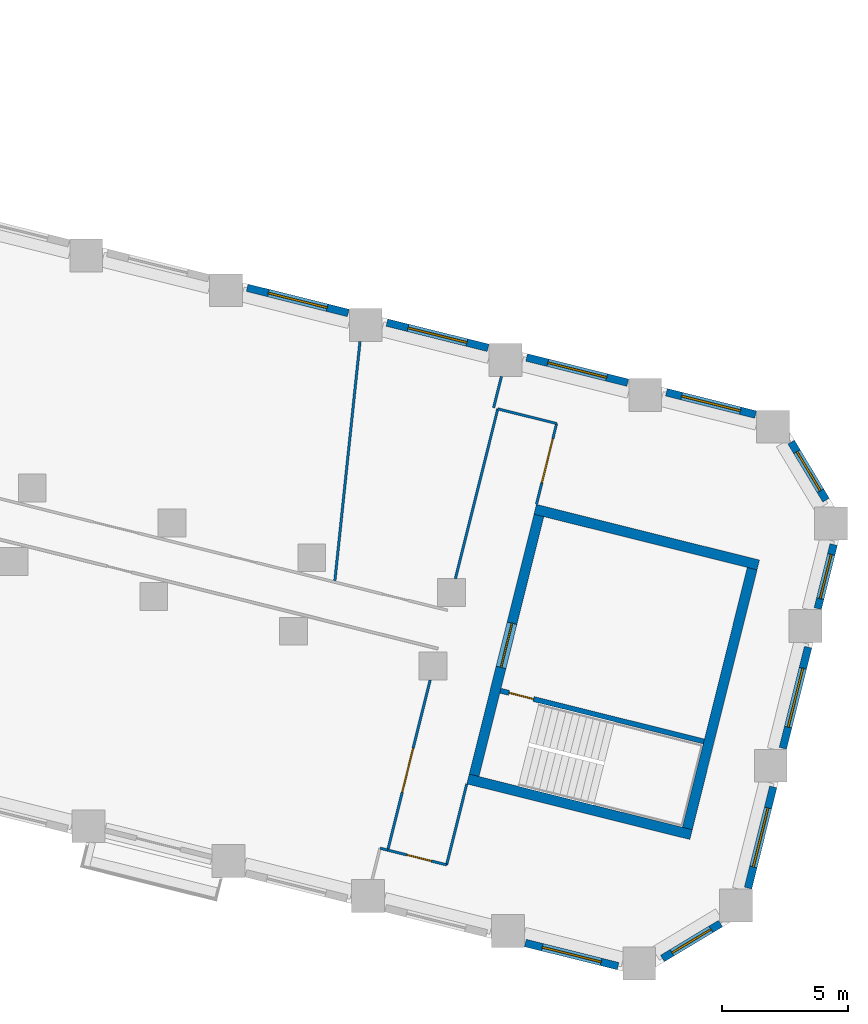
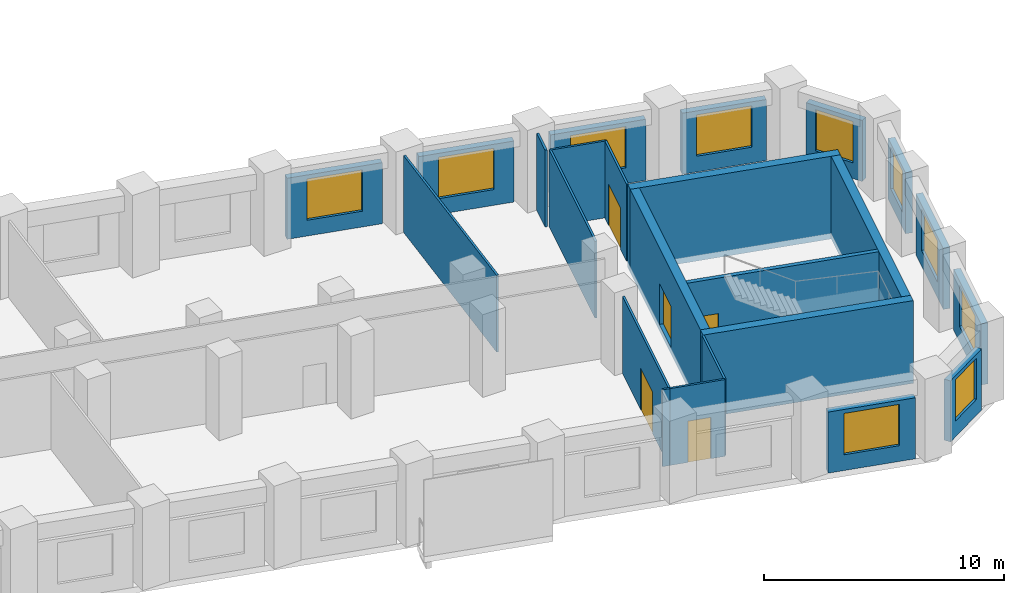
# One storey, part 7 of 11: 24 walls, 10 windows, 5 doors, 15 openings.
"""IFC4 building model written with IfcOpenShell, lengths in metres."""

from ifc_helpers import new_model, si_unit, direction, frame, frame_2d, origin, place, context, subcontext, project, spatial, rectangle, extrude, material, layer, layer_set, type_object, element, fill, save


model = new_model("IFC4")

# Units and contexts
model_context = context("Model", 3, precision=1e-05, world=origin(), true_north=direction((0.0, 1.0)))
body_context = subcontext(model_context, "Body", "Model", "MODEL_VIEW")
ifc_project = project(units=[si_unit("LENGTHUNIT", "METRE"), si_unit("AREAUNIT", "SQUARE_METRE"), si_unit("VOLUMEUNIT", "CUBIC_METRE"), si_unit("PLANEANGLEUNIT", "RADIAN"), si_unit("MASSUNIT", "GRAM", prefix="KILO")], contexts=[model_context])

# Site, building, storey
site_placement = place(None, origin())
site = spatial("IfcSite", under=ifc_project, at=site_placement, CompositionType="ELEMENT")
building_placement = place(site_placement, origin())
building = spatial("IfcBuilding", under=site, at=building_placement, Name="Meshkara Civic Tower", CompositionType="ELEMENT")
storey_placement = place(building_placement, frame((0.0, 0.0, 143.39990234375)))
storey = spatial("IfcBuildingStorey", under=building, at=storey_placement, Name="L32", CompositionType="ELEMENT", Elevation=143.39990234375)

# Wall, opening, door
ifc_material_1 = material(Name="Corridor wall 100")
ifc_layer_1 = layer(ifc_material_1, 0.10009765625)
ifc_layer_set_1 = layer_set([ifc_layer_1], Name="Corridor wall 100")
wall_type_1 = type_object("IfcWallType", Name="Corridor wall 100", PredefinedType="PARTITIONING", material=ifc_layer_set_1)
wall_1_placement = place(storey_placement, frame((67.405029296875, -14.33203125, 0.0), z_axis=(0.0, 0.0, 1.0), x_axis=(0.970256074659, -0.242080874063, 0.0)))
wall_1 = element("IfcWall", 1, at=wall_1_placement, inside=storey, type_object=wall_type_1, Name="L32-W025", PredefinedType="PARTITIONING", context=body_context, shape_type="SweptSolid", body=[
    extrude(rectangle(XDim=2.400146484375, YDim=0.10009765625, at=frame_2d((1.2001953125, 0.0))), origin(), (0.0, 0.0, 1.0), 3.900146484375),
])
opening_1_placement = place(wall_1_placement, frame((0.780029296875, 0.0, 0.0)))
opening_1 = element("IfcOpeningElement", 2, at=opening_1_placement, cuts=wall_1, Name="Opening L32-D001", PredefinedType="OPENING", context=body_context, shape_type="SweptSolid", body=[
    extrude(rectangle(XDim=1.0, YDim=2.10009765625, at=frame_2d((0.5, 1.050048828125))), frame((0.0, 0.06005859375, 0.0), z_axis=(0.0, -1.0, 0.0), x_axis=(1.0, 0.0, 0.0)), (0.0, 0.0, 1.0), 0.1201171875),
])
ifc_material_2 = material(Name="Door 1000 x 2100")
door_type_1 = type_object("IfcDoorType", Name="Door 1000 x 2100", OperationType="SINGLE_SWING_LEFT", PredefinedType="DOOR", material=ifc_material_2)
door_1_placement = place(opening_1_placement, origin())
door_1 = element("IfcDoor", 3, at=door_1_placement, inside=storey, type_object=door_type_1, Name="L32-D001", OperationType="SINGLE_SWING_LEFT", OverallHeight=2.10009765625, OverallWidth=1.0, PredefinedType="DOOR", context=body_context, shape_type="SweptSolid", body=[
    extrude(rectangle(XDim=1.0, YDim=2.10009765625, at=frame_2d((0.5, 1.050048828125))), frame((0.0, 0.02490234375, 0.0), z_axis=(0.0, -1.0, 0.0), x_axis=(1.0, 0.0, 0.0)), (0.0, 0.0, 1.0), 0.050048828125),
])
fill(opening_1, door_1)

wall_2_placement = place(storey_placement, frame((69.083984375, -7.60009765625, 0.0), z_axis=(0.0, 0.0, 1.0), x_axis=(-0.241989134778, -0.970278959191, 0.0)))
wall_2 = element("IfcWall", 4, at=wall_2_placement, inside=storey, type_object=wall_type_1, Name="L32-W026", PredefinedType="PARTITIONING", context=body_context, shape_type="SweptSolid", body=[
    extrude(rectangle(XDim=6.938232421875, YDim=0.10009765625, at=frame_2d((3.46923828125, 0.0))), origin(), (0.0, 0.0, 1.0), 3.900146484375),
])
opening_2_placement = place(wall_2_placement, frame((2.780029296875, 0.0, 0.0)))
opening_2 = element("IfcOpeningElement", 5, at=opening_2_placement, cuts=wall_2, Name="Opening L32-D002", PredefinedType="OPENING", context=body_context, shape_type="SweptSolid", body=[
    extrude(rectangle(XDim=1.800048828125, YDim=2.10009765625, at=frame_2d((0.89990234375, 1.050048828125))), frame((0.0, 0.06005859375, 0.0), z_axis=(0.0, -1.0, 0.0), x_axis=(1.0, 0.0, 0.0)), (0.0, 0.0, 1.0), 0.1201171875),
])
ifc_material_3 = material(Name="Door pair 1800 x 2100")
door_type_2 = type_object("IfcDoorType", Name="Door pair 1800 x 2100", OperationType="SINGLE_SWING_LEFT", PredefinedType="DOOR", material=ifc_material_3)
door_2_placement = place(opening_2_placement, origin())
door_2 = element("IfcDoor", 6, at=door_2_placement, inside=storey, type_object=door_type_2, Name="L32-D002", OperationType="DOUBLE_DOOR_SINGLE_SWING", OverallHeight=2.10009765625, OverallWidth=1.800048828125, PredefinedType="DOOR", context=body_context, shape_type="SweptSolid", body=[
    extrude(rectangle(XDim=1.800048828125, YDim=2.10009765625, at=frame_2d((0.89990234375, 1.050048828125))), frame((0.0, 0.02490234375, 0.0), z_axis=(0.0, -1.0, 0.0), x_axis=(1.0, 0.0, 0.0)), (0.0, 0.0, 1.0), 0.050048828125),
])
fill(opening_2, door_2)

# Walls
wall_3_placement = place(storey_placement, frame((69.73388671875, -14.9130859375, 0.0), z_axis=(0.0, 0.0, 1.0), x_axis=(0.241839284064, 0.97031631991, 0.0)))
element("IfcWall", 7, at=wall_3_placement, inside=storey, type_object=wall_type_1, Name="L32-W027", PredefinedType="PARTITIONING", context=body_context, shape_type="SweptSolid", body=[
    extrude(rectangle(XDim=3.300048828125, YDim=0.10009765625, at=frame_2d((1.64990234375, 0.0))), origin(), (0.0, 0.0, 1.0), 3.900146484375),
])
wall_4_placement = place(storey_placement, frame((71.759033203125, 3.133056640625, 0.0), z_axis=(0.0, 0.0, 1.0), x_axis=(-0.242021590717, -0.970270864051, 0.0)))
element("IfcWall", 8, at=wall_4_placement, inside=storey, type_object=wall_type_1, Name="L32-W028", PredefinedType="PARTITIONING", context=body_context, shape_type="SweptSolid", body=[
    extrude(rectangle(XDim=6.92919921875, YDim=0.10009765625, at=frame_2d((3.464599609375, 0.0))), origin(), (0.0, 0.0, 1.0), 3.900146484375),
])

# Wall, opening, door
wall_5_placement = place(storey_placement, frame((73.2900390625, -0.64990234375, 0.0), z_axis=(0.0, 0.0, 1.0), x_axis=(0.241786986316, 0.970329352977, 0.0)))
wall_5 = element("IfcWall", 9, at=wall_5_placement, inside=storey, type_object=wall_type_1, Name="L32-W029", PredefinedType="PARTITIONING", context=body_context, shape_type="SweptSolid", body=[
    extrude(rectangle(XDim=3.2998046875, YDim=0.10009765625, at=frame_2d((1.64990234375, 0.0))), origin(), (0.0, 0.0, 1.0), 3.900146484375),
])
opening_3_placement = place(wall_5_placement, frame((0.8798828125, 0.0, 0.0)))
opening_3 = element("IfcOpeningElement", 10, at=opening_3_placement, cuts=wall_5, Name="Opening L32-D010", PredefinedType="OPENING", context=body_context, shape_type="SweptSolid", body=[
    extrude(rectangle(XDim=1.800048828125, YDim=2.10009765625, at=frame_2d((0.89990234375, 1.050048828125))), frame((0.0, 0.06005859375, 0.0), z_axis=(0.0, -1.0, 0.0), x_axis=(1.0, 0.0, 0.0)), (0.0, 0.0, 1.0), 0.1201171875),
])
door_3_placement = place(opening_3_placement, origin())
door_3 = element("IfcDoor", 11, at=door_3_placement, inside=storey, type_object=door_type_2, Name="L32-D010", OperationType="DOUBLE_DOOR_SINGLE_SWING", OverallHeight=2.10009765625, OverallWidth=1.800048828125, PredefinedType="DOOR", context=body_context, shape_type="SweptSolid", body=[
    extrude(rectangle(XDim=1.800048828125, YDim=2.10009765625, at=frame_2d((0.89990234375, 1.050048828125))), frame((0.0, 0.02490234375, 0.0), z_axis=(0.0, -1.0, 0.0), x_axis=(1.0, 0.0, 0.0)), (0.0, 0.0, 1.0), 0.050048828125),
])
fill(opening_3, door_3)

# Wall
wall_6_placement = place(storey_placement, frame((74.087890625, 2.552001953125, 0.0), z_axis=(0.0, 0.0, 1.0), x_axis=(-0.970256074659, 0.242080874063, 0.0)))
element("IfcWall", 12, at=wall_6_placement, inside=storey, type_object=wall_type_1, Name="L32-W030", PredefinedType="PARTITIONING", context=body_context, shape_type="SweptSolid", body=[
    extrude(rectangle(XDim=2.400146484375, YDim=0.10009765625, at=frame_2d((1.2001953125, 0.0))), origin(), (0.0, 0.0, 1.0), 3.900146484375),
])

# Wall, opening, window
ifc_material_4 = material(Name="Insulated infill panel with bronze anodised aluminium cladding", Category="aluminium")
ifc_layer_2 = layer(ifc_material_4, 0.300048828125)
ifc_layer_set_2 = layer_set([ifc_layer_2], Name="EXTERNAL INFILL WALL 300")
wall_type_2 = type_object("IfcWallType", Name="EXTERNAL INFILL WALL 300", PredefinedType="SOLIDWALL", material=ifc_layer_set_2)
wall_7_placement = place(storey_placement, frame((81.962890625, 2.906982421875, 0.0), z_axis=(0.0, 0.0, 1.0), x_axis=(-0.970248953144, 0.24210941519, 0.0)))
wall_7 = element("IfcWall", 13, at=wall_7_placement, inside=storey, type_object=wall_type_2, Name="External wall", PredefinedType="SOLIDWALL", context=body_context, shape_type="SweptSolid", body=[
    extrude(rectangle(XDim=3.63916015625, YDim=0.300048828125, at=frame_2d((1.819580078125, 0.0))), origin(), (0.0, 0.0, 1.0), 3.10009765625),
])
opening_4_placement = place(wall_7_placement, frame((0.6201171875, 0.0, 0.800048828125)))
opening_4 = element("IfcOpeningElement", 14, at=opening_4_placement, cuts=wall_7, Name="Opening W7", PredefinedType="OPENING", context=body_context, shape_type="SweptSolid", body=[
    extrude(rectangle(XDim=2.39990234375, YDim=2.10009765625, at=frame_2d((1.199951171875, 1.050048828125))), frame((0.0, 0.159912109375, 0.0), z_axis=(0.0, -1.0, 0.0), x_axis=(1.0, 0.0, 0.0)), (0.0, 0.0, 1.0), 0.320068359375),
])
ifc_material_5 = material(Name="Tinted double glazing", Category="glass")
window_type_1 = type_object("IfcWindowType", Name="WINDOW 2400x2100", PartitioningType="DOUBLE_PANEL_VERTICAL", PredefinedType="WINDOW", material=ifc_material_5)
window_1_placement = place(opening_4_placement, origin())
window_1 = element("IfcWindow", 15, at=window_1_placement, inside=storey, type_object=window_type_1, Name="Window", OverallHeight=2.10009765625, OverallWidth=2.39990234375, PartitioningType="DOUBLE_PANEL_VERTICAL", PredefinedType="WINDOW", context=body_context, shape_type="SweptSolid", body=[
    extrude(rectangle(XDim=2.39990234375, YDim=2.10009765625, at=frame_2d((1.199951171875, 1.050048828125))), frame((0.0, 0.030029296875, 0.0), z_axis=(0.0, -1.0, 0.0), x_axis=(1.0, 0.0, 0.0)), (0.0, 0.0, 1.0), 0.06005859375),
])
fill(opening_4, window_1)

wall_8_placement = place(storey_placement, frame((76.903076171875, 4.1689453125, 0.0), z_axis=(0.0, 0.0, 1.0), x_axis=(-0.970267747908, 0.242034083076, 0.0)))
wall_8 = element("IfcWall", 16, at=wall_8_placement, inside=storey, type_object=wall_type_2, Name="External wall", PredefinedType="SOLIDWALL", context=body_context, shape_type="SweptSolid", body=[
    extrude(rectangle(XDim=4.12353515625, YDim=0.300048828125, at=frame_2d((2.061767578125, 0.0))), origin(), (0.0, 0.0, 1.0), 3.10009765625),
])
opening_5_placement = place(wall_8_placement, frame((0.862060546875, 0.0, 0.800048828125)))
opening_5 = element("IfcOpeningElement", 17, at=opening_5_placement, cuts=wall_8, Name="Opening W7", PredefinedType="OPENING", context=body_context, shape_type="SweptSolid", body=[
    extrude(rectangle(XDim=2.39990234375, YDim=2.10009765625, at=frame_2d((1.199951171875, 1.050048828125))), frame((0.0, 0.159912109375, 0.0), z_axis=(0.0, -1.0, 0.0), x_axis=(1.0, 0.0, 0.0)), (0.0, 0.0, 1.0), 0.320068359375),
])
window_2_placement = place(opening_5_placement, origin())
window_2 = element("IfcWindow", 18, at=window_2_placement, inside=storey, type_object=window_type_1, Name="Window", OverallHeight=2.10009765625, OverallWidth=2.39990234375, PartitioningType="DOUBLE_PANEL_VERTICAL", PredefinedType="WINDOW", context=body_context, shape_type="SweptSolid", body=[
    extrude(rectangle(XDim=2.39990234375, YDim=2.10009765625, at=frame_2d((1.199951171875, 1.050048828125))), frame((0.0, 0.030029296875, 0.0), z_axis=(0.0, -1.0, 0.0), x_axis=(1.0, 0.0, 0.0)), (0.0, 0.0, 1.0), 0.06005859375),
])
fill(opening_5, window_2)

wall_9_placement = place(storey_placement, frame((71.373046875, 5.548095703125, 0.0), z_axis=(0.0, 0.0, 1.0), x_axis=(-0.97029551261, 0.241922752565, 0.0)))
wall_9 = element("IfcWall", 19, at=wall_9_placement, inside=storey, type_object=wall_type_2, Name="External wall", PredefinedType="SOLIDWALL", context=body_context, shape_type="SweptSolid", body=[
    extrude(rectangle(XDim=4.12451171875, YDim=0.300048828125, at=frame_2d((2.062255859375, 0.0))), origin(), (0.0, 0.0, 1.0), 3.10009765625),
])
opening_6_placement = place(wall_9_placement, frame((0.862060546875, 0.0, 0.800048828125)))
opening_6 = element("IfcOpeningElement", 20, at=opening_6_placement, cuts=wall_9, Name="Opening W7", PredefinedType="OPENING", context=body_context, shape_type="SweptSolid", body=[
    extrude(rectangle(XDim=2.39990234375, YDim=2.10009765625, at=frame_2d((1.199951171875, 1.050048828125))), frame((0.0, 0.159912109375, 0.0), z_axis=(0.0, -1.0, 0.0), x_axis=(1.0, 0.0, 0.0)), (0.0, 0.0, 1.0), 0.320068359375),
])
window_3_placement = place(opening_6_placement, origin())
window_3 = element("IfcWindow", 21, at=window_3_placement, inside=storey, type_object=window_type_1, Name="Window", OverallHeight=2.10009765625, OverallWidth=2.39990234375, PartitioningType="DOUBLE_PANEL_VERTICAL", PredefinedType="WINDOW", context=body_context, shape_type="SweptSolid", body=[
    extrude(rectangle(XDim=2.39990234375, YDim=2.10009765625, at=frame_2d((1.199951171875, 1.050048828125))), frame((0.0, 0.030029296875, 0.0), z_axis=(0.0, -1.0, 0.0), x_axis=(1.0, 0.0, 0.0)), (0.0, 0.0, 1.0), 0.06005859375),
])
fill(opening_6, window_3)

wall_10_placement = place(storey_placement, frame((65.842041015625, 6.927001953125, 0.0), z_axis=(0.0, 0.0, 1.0), x_axis=(-0.970281616392, 0.241978480223, 0.0)))
wall_10 = element("IfcWall", 22, at=wall_10_placement, inside=storey, type_object=wall_type_2, Name="External wall", PredefinedType="SOLIDWALL", context=body_context, shape_type="SweptSolid", body=[
    extrude(rectangle(XDim=4.12451171875, YDim=0.300048828125, at=frame_2d((2.062255859375, 0.0))), origin(), (0.0, 0.0, 1.0), 3.10009765625),
])
opening_7_placement = place(wall_10_placement, frame((0.862060546875, 0.0, 0.800048828125)))
opening_7 = element("IfcOpeningElement", 23, at=opening_7_placement, cuts=wall_10, Name="Opening W7", PredefinedType="OPENING", context=body_context, shape_type="SweptSolid", body=[
    extrude(rectangle(XDim=2.39990234375, YDim=2.10009765625, at=frame_2d((1.199951171875, 1.050048828125))), frame((0.0, 0.159912109375, 0.0), z_axis=(0.0, -1.0, 0.0), x_axis=(1.0, 0.0, 0.0)), (0.0, 0.0, 1.0), 0.320068359375),
])
window_4_placement = place(opening_7_placement, origin())
window_4 = element("IfcWindow", 24, at=window_4_placement, inside=storey, type_object=window_type_1, Name="Window", OverallHeight=2.10009765625, OverallWidth=2.39990234375, PartitioningType="DOUBLE_PANEL_VERTICAL", PredefinedType="WINDOW", context=body_context, shape_type="SweptSolid", body=[
    extrude(rectangle(XDim=2.39990234375, YDim=2.10009765625, at=frame_2d((1.199951171875, 1.050048828125))), frame((0.0, 0.030029296875, 0.0), z_axis=(0.0, -1.0, 0.0), x_axis=(1.0, 0.0, 0.0)), (0.0, 0.0, 1.0), 0.06005859375),
])
fill(opening_7, window_4)

wall_11_placement = place(storey_placement, frame((72.85009765625, -18.009033203125, 0.0), z_axis=(0.0, 0.0, 1.0), x_axis=(0.970309295155, -0.241867467295, 0.0)))
wall_11 = element("IfcWall", 25, at=wall_11_placement, inside=storey, type_object=wall_type_2, Name="External wall", PredefinedType="SOLIDWALL", context=body_context, shape_type="SweptSolid", body=[
    extrude(rectangle(XDim=3.783203125, YDim=0.300048828125, at=frame_2d((1.8916015625, 0.0))), origin(), (0.0, 0.0, 1.0), 3.10009765625),
])
opening_8_placement = place(wall_11_placement, frame((0.69189453125, 0.0, 0.800048828125)))
opening_8 = element("IfcOpeningElement", 26, at=opening_8_placement, cuts=wall_11, Name="Opening W7", PredefinedType="OPENING", context=body_context, shape_type="SweptSolid", body=[
    extrude(rectangle(XDim=2.39990234375, YDim=2.10009765625, at=frame_2d((1.199951171875, 1.050048828125))), frame((0.0, 0.159912109375, 0.0), z_axis=(0.0, -1.0, 0.0), x_axis=(1.0, 0.0, 0.0)), (0.0, 0.0, 1.0), 0.320068359375),
])
window_5_placement = place(opening_8_placement, origin())
window_5 = element("IfcWindow", 27, at=window_5_placement, inside=storey, type_object=window_type_1, Name="Window", OverallHeight=2.10009765625, OverallWidth=2.39990234375, PartitioningType="DOUBLE_PANEL_VERTICAL", PredefinedType="WINDOW", context=body_context, shape_type="SweptSolid", body=[
    extrude(rectangle(XDim=2.39990234375, YDim=2.10009765625, at=frame_2d((1.199951171875, 1.050048828125))), frame((0.0, 0.030029296875, 0.0), z_axis=(0.0, -1.0, 0.0), x_axis=(1.0, 0.0, 0.0)), (0.0, 0.0, 1.0), 0.06005859375),
])
fill(opening_8, window_5)

wall_12_placement = place(storey_placement, frame((78.277099609375, -18.62109375, 0.0), z_axis=(0.0, 0.0, 1.0), x_axis=(0.857066424989, 0.515205923061, 0.0)))
wall_12 = element("IfcWall", 28, at=wall_12_placement, inside=storey, type_object=wall_type_2, Name="External wall", PredefinedType="SOLIDWALL", context=body_context, shape_type="SweptSolid", body=[
    extrude(rectangle(XDim=2.6787109375, YDim=0.300048828125, at=frame_2d((1.33935546875, 0.0))), origin(), (0.0, 0.0, 1.0), 3.10009765625),
])
opening_9_placement = place(wall_12_placement, frame((0.43896484375, 0.0, 0.800048828125)))
opening_9 = element("IfcOpeningElement", 29, at=opening_9_placement, cuts=wall_12, Name="Opening W9", PredefinedType="OPENING", context=body_context, shape_type="SweptSolid", body=[
    extrude(rectangle(XDim=1.800048828125, YDim=2.10009765625, at=frame_2d((0.89990234375, 1.050048828125))), frame((0.0, 0.159912109375, 0.0), z_axis=(0.0, -1.0, 0.0), x_axis=(1.0, 0.0, 0.0)), (0.0, 0.0, 1.0), 0.320068359375),
])
ifc_material_6 = material(Name="Tinted double glazing", Category="glass")
window_type_2 = type_object("IfcWindowType", Name="WINDOW 1800x2100", PartitioningType="DOUBLE_PANEL_VERTICAL", PredefinedType="WINDOW", material=ifc_material_6)
window_6_placement = place(opening_9_placement, origin())
window_6 = element("IfcWindow", 30, at=window_6_placement, inside=storey, type_object=window_type_2, Name="Window", OverallHeight=2.10009765625, OverallWidth=1.800048828125, PartitioningType="DOUBLE_PANEL_VERTICAL", PredefinedType="WINDOW", context=body_context, shape_type="SweptSolid", body=[
    extrude(rectangle(XDim=1.800048828125, YDim=2.10009765625, at=frame_2d((0.89990234375, 1.050048828125))), frame((0.0, 0.030029296875, 0.0), z_axis=(0.0, -1.0, 0.0), x_axis=(1.0, 0.0, 0.0)), (0.0, 0.0, 1.0), 0.06005859375),
])
fill(opening_9, window_6)

wall_13_placement = place(storey_placement, frame((81.6650390625, -15.83203125, 0.0), z_axis=(0.0, 0.0, 1.0), x_axis=(0.241978480223, 0.970281616392, 0.0)))
wall_13 = element("IfcWall", 31, at=wall_13_placement, inside=storey, type_object=wall_type_2, Name="External wall", PredefinedType="SOLIDWALL", context=body_context, shape_type="SweptSolid", body=[
    extrude(rectangle(XDim=4.12451171875, YDim=0.300048828125, at=frame_2d((2.062255859375, 0.0))), origin(), (0.0, 0.0, 1.0), 3.10009765625),
])
opening_10_placement = place(wall_13_placement, frame((0.862060546875, 0.0, 0.800048828125)))
opening_10 = element("IfcOpeningElement", 32, at=opening_10_placement, cuts=wall_13, Name="Opening W7", PredefinedType="OPENING", context=body_context, shape_type="SweptSolid", body=[
    extrude(rectangle(XDim=2.39990234375, YDim=2.10009765625, at=frame_2d((1.199951171875, 1.050048828125))), frame((0.0, 0.159912109375, 0.0), z_axis=(0.0, -1.0, 0.0), x_axis=(1.0, 0.0, 0.0)), (0.0, 0.0, 1.0), 0.320068359375),
])
window_7_placement = place(opening_10_placement, origin())
window_7 = element("IfcWindow", 33, at=window_7_placement, inside=storey, type_object=window_type_1, Name="Window", OverallHeight=2.10009765625, OverallWidth=2.39990234375, PartitioningType="DOUBLE_PANEL_VERTICAL", PredefinedType="WINDOW", context=body_context, shape_type="SweptSolid", body=[
    extrude(rectangle(XDim=2.39990234375, YDim=2.10009765625, at=frame_2d((1.199951171875, 1.050048828125))), frame((0.0, 0.030029296875, 0.0), z_axis=(0.0, -1.0, 0.0), x_axis=(1.0, 0.0, 0.0)), (0.0, 0.0, 1.0), 0.06005859375),
])
fill(opening_10, window_7)

wall_14_placement = place(storey_placement, frame((83.0439453125, -10.301025390625, 0.0), z_axis=(0.0, 0.0, 1.0), x_axis=(0.242034083076, 0.970267747908, 0.0)))
wall_14 = element("IfcWall", 34, at=wall_14_placement, inside=storey, type_object=wall_type_2, Name="External wall", PredefinedType="SOLIDWALL", context=body_context, shape_type="SweptSolid", body=[
    extrude(rectangle(XDim=4.12353515625, YDim=0.300048828125, at=frame_2d((2.061767578125, 0.0))), origin(), (0.0, 0.0, 1.0), 3.10009765625),
])
opening_11_placement = place(wall_14_placement, frame((0.862060546875, 0.0, 0.800048828125)))
opening_11 = element("IfcOpeningElement", 35, at=opening_11_placement, cuts=wall_14, Name="Opening W7", PredefinedType="OPENING", context=body_context, shape_type="SweptSolid", body=[
    extrude(rectangle(XDim=2.39990234375, YDim=2.10009765625, at=frame_2d((1.199951171875, 1.050048828125))), frame((0.0, 0.159912109375, 0.0), z_axis=(0.0, -1.0, 0.0), x_axis=(1.0, 0.0, 0.0)), (0.0, 0.0, 1.0), 0.320068359375),
])
window_8_placement = place(opening_11_placement, origin())
window_8 = element("IfcWindow", 36, at=window_8_placement, inside=storey, type_object=window_type_1, Name="Window", OverallHeight=2.10009765625, OverallWidth=2.39990234375, PartitioningType="DOUBLE_PANEL_VERTICAL", PredefinedType="WINDOW", context=body_context, shape_type="SweptSolid", body=[
    extrude(rectangle(XDim=2.39990234375, YDim=2.10009765625, at=frame_2d((1.199951171875, 1.050048828125))), frame((0.0, 0.030029296875, 0.0), z_axis=(0.0, -1.0, 0.0), x_axis=(1.0, 0.0, 0.0)), (0.0, 0.0, 1.0), 0.06005859375),
])
fill(opening_11, window_8)

wall_15_placement = place(storey_placement, frame((84.423095703125, -4.77099609375, 0.0), z_axis=(0.0, 0.0, 1.0), x_axis=(0.241941668773, 0.970290796056, 0.0)))
wall_15 = element("IfcWall", 37, at=wall_15_placement, inside=storey, type_object=wall_type_2, Name="External wall", PredefinedType="SOLIDWALL", context=body_context, shape_type="SweptSolid", body=[
    extrude(rectangle(XDim=2.611572265625, YDim=0.300048828125, at=frame_2d((1.3056640625, 0.0))), origin(), (0.0, 0.0, 1.0), 3.10009765625),
])
opening_12_placement = place(wall_15_placement, frame((0.406005859375, 0.0, 0.800048828125)))
opening_12 = element("IfcOpeningElement", 38, at=opening_12_placement, cuts=wall_15, Name="Opening W9", PredefinedType="OPENING", context=body_context, shape_type="SweptSolid", body=[
    extrude(rectangle(XDim=1.800048828125, YDim=2.10009765625, at=frame_2d((0.89990234375, 1.050048828125))), frame((0.0, 0.159912109375, 0.0), z_axis=(0.0, -1.0, 0.0), x_axis=(1.0, 0.0, 0.0)), (0.0, 0.0, 1.0), 0.320068359375),
])
window_9_placement = place(opening_12_placement, origin())
window_9 = element("IfcWindow", 39, at=window_9_placement, inside=storey, type_object=window_type_2, Name="Window", OverallHeight=2.10009765625, OverallWidth=1.800048828125, PartitioningType="DOUBLE_PANEL_VERTICAL", PredefinedType="WINDOW", context=body_context, shape_type="SweptSolid", body=[
    extrude(rectangle(XDim=1.800048828125, YDim=2.10009765625, at=frame_2d((0.89990234375, 1.050048828125))), frame((0.0, 0.030029296875, 0.0), z_axis=(0.0, -1.0, 0.0), x_axis=(1.0, 0.0, 0.0)), (0.0, 0.0, 1.0), 0.06005859375),
])
fill(opening_12, window_9)

wall_16_placement = place(storey_placement, frame((84.751953125, -0.48095703125, 0.0), z_axis=(0.0, 0.0, 1.0), x_axis=(-0.515138971391, 0.857106667898, 0.0)))
wall_16 = element("IfcWall", 40, at=wall_16_placement, inside=storey, type_object=wall_type_2, Name="External wall", PredefinedType="SOLIDWALL", context=body_context, shape_type="SweptSolid", body=[
    extrude(rectangle(XDim=2.6787109375, YDim=0.300048828125, at=frame_2d((1.33935546875, 0.0))), origin(), (0.0, 0.0, 1.0), 3.10009765625),
])
opening_13_placement = place(wall_16_placement, frame((0.43896484375, 0.0, 0.800048828125)))
opening_13 = element("IfcOpeningElement", 41, at=opening_13_placement, cuts=wall_16, Name="Opening W9", PredefinedType="OPENING", context=body_context, shape_type="SweptSolid", body=[
    extrude(rectangle(XDim=1.800048828125, YDim=2.10009765625, at=frame_2d((0.89990234375, 1.050048828125))), frame((0.0, 0.159912109375, 0.0), z_axis=(0.0, -1.0, 0.0), x_axis=(1.0, 0.0, 0.0)), (0.0, 0.0, 1.0), 0.320068359375),
])
window_10_placement = place(opening_13_placement, origin())
window_10 = element("IfcWindow", 42, at=window_10_placement, inside=storey, type_object=window_type_2, Name="Window", OverallHeight=2.10009765625, OverallWidth=1.800048828125, PartitioningType="DOUBLE_PANEL_VERTICAL", PredefinedType="WINDOW", context=body_context, shape_type="SweptSolid", body=[
    extrude(rectangle(XDim=1.800048828125, YDim=2.10009765625, at=frame_2d((0.89990234375, 1.050048828125))), frame((0.0, 0.030029296875, 0.0), z_axis=(0.0, -1.0, 0.0), x_axis=(1.0, 0.0, 0.0)), (0.0, 0.0, 1.0), 0.06005859375),
])
fill(opening_13, window_10)

# Walls
ifc_material_7 = material(Name="Concrete C70", Category="concrete")
ifc_layer_3 = layer(ifc_material_7, 0.39990234375)
ifc_layer_set_3 = layer_set([ifc_layer_3], Name="End core ring wall 400 C70")
wall_type_3 = type_object("IfcWallType", Name="End core ring wall 400 C70", PredefinedType="SHEAR", material=ifc_layer_set_3)
for number, where, z_axis, x_axis, name in (
    (43, (70.580078125, -11.51708984375, -0.2998046875), (0.0, 0.0, 1.0), (0.970285938441, -0.241961149081, 0.0), "L32-C030"),
    (44, (73.240966796875, -0.843994140625, -0.2998046875), (0.0, 0.0, 1.0), (0.970312696888, -0.241853820019, 0.0), "L32-C031"),
):
    element("IfcWall", number, at=place(storey_placement, frame(where, z_axis=z_axis, x_axis=x_axis)), inside=storey, type_object=wall_type_3, Name=name, PredefinedType="SHEAR", context=body_context, shape_type="SweptSolid", body=[
        extrude(rectangle(XDim=9.100341796875, YDim=0.39990234375, at=frame_2d((4.55029296875, 0.0))), origin(), (0.0, 0.0, 1.0), 4.199951171875),
    ])

# Wall, opening, door
wall_17_placement = place(storey_placement, frame((70.822998046875, -11.37109375, -0.2998046875), z_axis=(0.0, 0.0, 1.0), x_axis=(0.241885246693, 0.97030486314, 0.0)))
wall_17 = element("IfcWall", 45, at=wall_17_placement, inside=storey, type_object=wall_type_3, Name="L32-C032", PredefinedType="SHEAR", context=body_context, shape_type="SweptSolid", body=[
    extrude(rectangle(XDim=10.599853515625, YDim=0.39990234375, at=frame_2d((5.2998046875, 0.0))), origin(), (0.0, 0.0, 1.0), 4.199951171875),
])
opening_14_placement = place(wall_17_placement, frame((4.39990234375, 0.0, 0.300048828125)))
opening_14 = element("IfcOpeningElement", 46, at=opening_14_placement, cuts=wall_17, Name="Opening L32-K202", PredefinedType="OPENING", context=body_context, shape_type="SweptSolid", body=[
    extrude(rectangle(XDim=1.800048828125, YDim=2.10009765625, at=frame_2d((0.89990234375, 1.050048828125))), frame((0.0, 0.2099609375, 0.0), z_axis=(0.0, -1.0, 0.0), x_axis=(1.0, 0.0, 0.0)), (0.0, 0.0, 1.0), 0.419921875),
])
ifc_material_8 = material(Name="Fire-rated door leaf in steel frame", Category="steel")
door_type_3 = type_object("IfcDoorType", Name="Core double door 1800 EI 60", OperationType="DOUBLE_DOOR_SINGLE_SWING", PredefinedType="DOOR", material=ifc_material_8)
door_4_placement = place(opening_14_placement, origin())
door_4 = element("IfcDoor", 47, at=door_4_placement, inside=storey, type_object=door_type_3, Name="L32-K202", OperationType="DOUBLE_DOOR_SINGLE_SWING", OverallHeight=2.10009765625, OverallWidth=1.800048828125, PredefinedType="DOOR", context=body_context, shape_type="SweptSolid", body=[
    extrude(rectangle(XDim=1.800048828125, YDim=2.10009765625, at=frame_2d((0.89990234375, 1.050048828125))), frame((0.0, 0.02490234375, 0.0), z_axis=(0.0, -1.0, 0.0), x_axis=(1.0, 0.0, 0.0)), (0.0, 0.0, 1.0), 0.050048828125),
])
fill(opening_14, door_4)

# Walls
wall_18_placement = place(storey_placement, frame((79.263916015625, -13.47607421875, -0.2998046875), z_axis=(0.0, 0.0, 1.0), x_axis=(0.241993665753, 0.970277829148, 0.0)))
element("IfcWall", 48, at=wall_18_placement, inside=storey, type_object=wall_type_3, Name="L32-C033", PredefinedType="SHEAR", context=body_context, shape_type="SweptSolid", body=[
    extrude(rectangle(XDim=10.60009765625, YDim=0.39990234375, at=frame_2d((5.300048828125, 0.0))), origin(), (0.0, 0.0, 1.0), 4.199951171875),
])
ifc_material_9 = material(Name="Partition 100")
ifc_layer_4 = layer(ifc_material_9, 0.10009765625)
ifc_layer_set_4 = layer_set([ifc_layer_4], Name="Partition 100")
wall_type_4 = type_object("IfcWallType", Name="Partition 100", PredefinedType="PARTITIONING", material=ifc_layer_set_4)
wall_19_placement = place(storey_placement, frame((65.31103515625, -3.6689453125, 0.0), z_axis=(0.0, 0.0, 1.0), x_axis=(0.104547226463, 0.994519923098, 0.0)))
element("IfcWall", 49, at=wall_19_placement, inside=storey, type_object=wall_type_4, Name="L32-W049", PredefinedType="PARTITIONING", context=body_context, shape_type="SweptSolid", body=[
    extrude(rectangle(XDim=9.51611328125, YDim=0.10009765625, at=frame_2d((4.758056640625, 0.0))), origin(), (0.0, 0.0, 1.0), 3.900146484375),
])
wall_20_placement = place(storey_placement, frame((67.09912109375, -14.256103515625, 0.0), z_axis=(0.0, 0.0, 1.0), x_axis=(0.970546048538, -0.240915685807, 0.0)))
element("IfcWall", 50, at=wall_20_placement, inside=storey, type_object=wall_type_4, Name="L32-W051", PredefinedType="PARTITIONING", context=body_context, shape_type="SweptSolid", body=[
    extrude(rectangle(XDim=0.3193359375, YDim=0.10009765625, at=frame_2d((0.15966796875, 0.0))), origin(), (0.0, 0.0, 1.0), 3.900146484375),
])
wall_21_placement = place(storey_placement, frame((71.593017578125, 3.174072265625, 0.0), z_axis=(0.0, 0.0, 1.0), x_axis=(0.242221476086, 0.970220983345, 0.0)))
element("IfcWall", 51, at=wall_21_placement, inside=storey, type_object=wall_type_4, Name="L32-W052", PredefinedType="PARTITIONING", context=body_context, shape_type="SweptSolid", body=[
    extrude(rectangle(XDim=1.280029296875, YDim=0.10009765625, at=frame_2d((0.64013671875, 0.0))), origin(), (0.0, 0.0, 1.0), 3.900146484375),
])

# Wall, opening, door
ifc_material_10 = material(Name="Concrete C40/50", Category="concrete")
ifc_layer_5 = layer(ifc_material_10, 0.199951171875)
ifc_layer_set_5 = layer_set([ifc_layer_5], Name="Stair enclosure wall 200 C40/50")
wall_type_5 = type_object("IfcWallType", Name="Stair enclosure wall 200 C40/50", PredefinedType="SOLIDWALL", material=ifc_layer_set_5)
wall_22_placement = place(storey_placement, frame((71.864013671875, -8.02392578125, 0.0), z_axis=(0.0, 0.0, 1.0), x_axis=(0.970289402158, -0.241947258837, 0.0)))
wall_22 = element("IfcWall", 52, at=wall_22_placement, inside=storey, type_object=wall_type_5, Name="L32-C034", PredefinedType="SOLIDWALL", context=body_context, shape_type="SweptSolid", body=[
    extrude(rectangle(XDim=8.299560546875, YDim=0.199951171875, at=frame_2d((4.14990234375, 0.0))), origin(), (0.0, 0.0, 1.0), 3.900146484375),
])
opening_15_placement = place(wall_22_placement, frame((0.35009765625, 0.0, 0.0)))
opening_15 = element("IfcOpeningElement", 53, at=opening_15_placement, cuts=wall_22, Name="Opening L32-K201", PredefinedType="OPENING", context=body_context, shape_type="SweptSolid", body=[
    extrude(rectangle(XDim=1.0, YDim=2.10009765625, at=frame_2d((0.5, 1.050048828125))), frame((0.0, 0.10986328125, 0.0), z_axis=(0.0, -1.0, 0.0), x_axis=(1.0, 0.0, 0.0)), (0.0, 0.0, 1.0), 0.219970703125),
])
ifc_material_11 = material(Name="Fire-rated door leaf in steel frame", Category="steel")
door_type_4 = type_object("IfcDoorType", Name="Stair door 1000 EI 120", OperationType="SINGLE_SWING_LEFT", PredefinedType="DOOR", material=ifc_material_11)
door_5_placement = place(opening_15_placement, origin())
door_5 = element("IfcDoor", 54, at=door_5_placement, inside=storey, type_object=door_type_4, Name="L32-K201", OperationType="SINGLE_SWING_LEFT", OverallHeight=2.10009765625, OverallWidth=1.0, PredefinedType="DOOR", context=body_context, shape_type="SweptSolid", body=[
    extrude(rectangle(XDim=1.0, YDim=2.10009765625, at=frame_2d((0.5, 1.050048828125))), frame((0.0, 0.02490234375, 0.0), z_axis=(0.0, -1.0, 0.0), x_axis=(1.0, 0.0, 0.0)), (0.0, 0.0, 1.0), 0.050048828125),
])
fill(opening_15, door_5)

save(model, "model.ifc")
